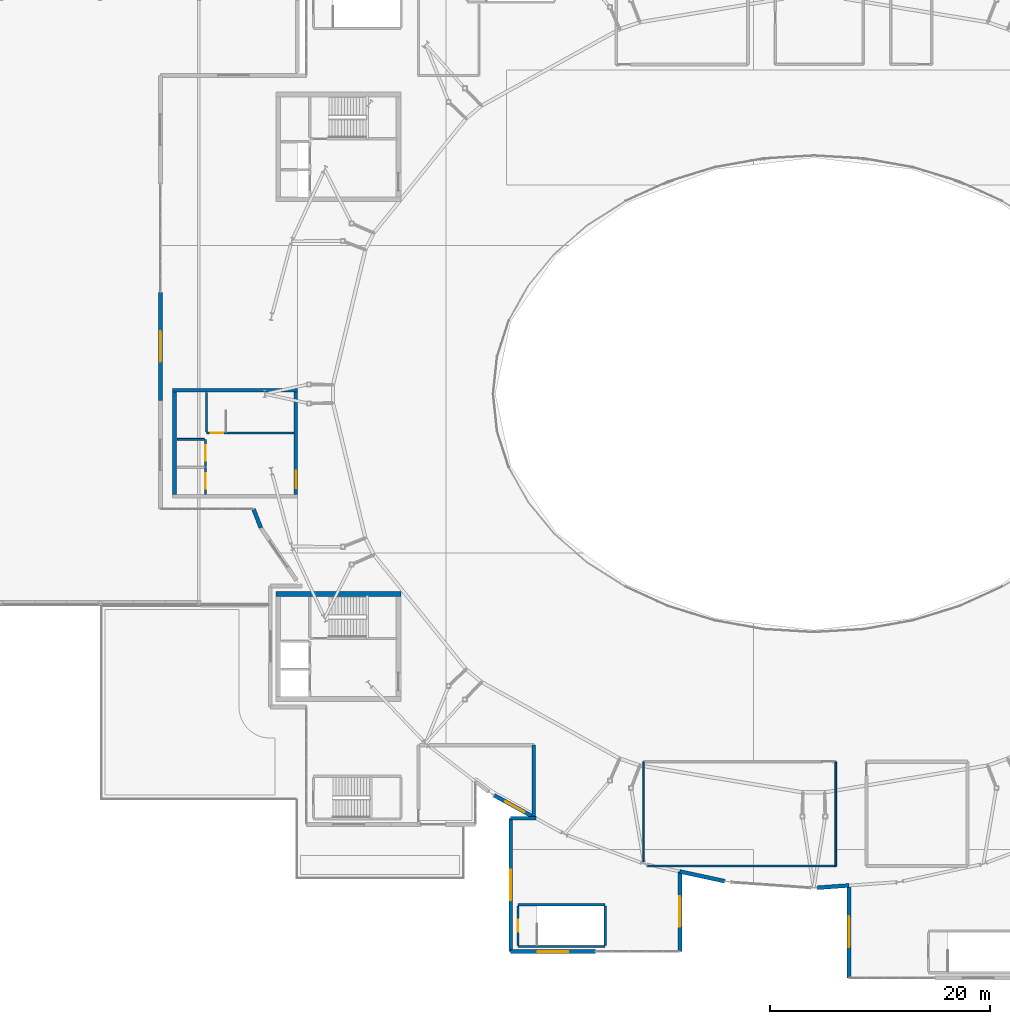
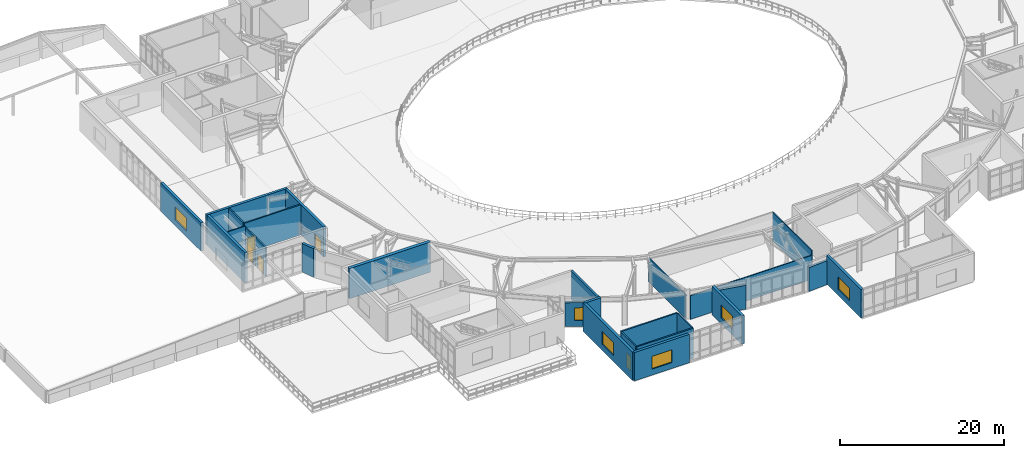
# One storey, part 37 of 48: 27 walls, 6 windows, 5 doors, 11 openings.
"""IFC4 building model written with IfcOpenShell, lengths in metres."""

from ifc_helpers import new_model, si_unit, direction, frame, frame_2d, origin, place, context, subcontext, project, spatial, rectangle, extrude, material, layer, layer_set, type_object, element, fill, save


model = new_model("IFC4")

# Units and contexts
model_context = context("Model", 3, precision=1e-05, world=origin(), true_north=direction((0.0, 1.0)))
body_context = subcontext(model_context, "Body", "Model", "MODEL_VIEW")
ifc_project = project(units=[si_unit("LENGTHUNIT", "METRE"), si_unit("AREAUNIT", "SQUARE_METRE"), si_unit("VOLUMEUNIT", "CUBIC_METRE"), si_unit("PLANEANGLEUNIT", "RADIAN"), si_unit("MASSUNIT", "GRAM", prefix="KILO")], contexts=[model_context])

# Site, building, storey
site_placement = place(None, origin())
site = spatial("IfcSite", under=ifc_project, at=site_placement, CompositionType="ELEMENT")
building_placement = place(site_placement, origin())
building = spatial("IfcBuilding", under=site, at=building_placement, Name="Glasvene Arena", CompositionType="ELEMENT")
storey_placement = place(building_placement, frame((0.0, 0.0, 19.5)))
storey = spatial("IfcBuildingStorey", under=building, at=storey_placement, Name="L04", CompositionType="ELEMENT", Elevation=19.5)

# Walls
ifc_material_1 = material(Name="Concrete C40/50", Category="concrete")
ifc_layer_1 = layer(ifc_material_1, 0.35009765625)
ifc_layer_set_1 = layer_set([ifc_layer_1], Name="Concrete C40/50")
wall_type_1 = type_object("IfcWallType", Name="WL-CORE-350", PredefinedType="SHEAR", material=ifc_layer_set_1)
wall_1_placement = place(storey_placement, frame((33.60009765625, 73.324951171875, 0.0), z_axis=(0.0, 0.0, 1.0), x_axis=(1.0, 0.0, 0.0)))
element("IfcWall", 1, at=wall_1_placement, inside=storey, type_object=wall_type_1, Name="Core C5 West Media shear wall N L04", PredefinedType="SHEAR", context=body_context, shape_type="SweptSolid", body=[
    extrude(rectangle(XDim=11.39990234375, YDim=0.35009765625, at=frame_2d((5.699951171875, 0.0))), origin(), (0.0, 0.0, 1.0), 4.5),
])
wall_2_placement = place(storey_placement, frame((33.77490234375, 63.85009765625, 0.0), z_axis=(0.0, 0.0, 1.0), x_axis=(0.0, 1.0, 0.0)))
element("IfcWall", 2, at=wall_2_placement, inside=storey, type_object=wall_type_1, Name="Core C5 West Media shear wall W L04", PredefinedType="SHEAR", context=body_context, shape_type="SweptSolid", body=[
    extrude(rectangle(XDim=9.2998046875, YDim=0.35009765625, at=frame_2d((4.64990234375, 0.0))), origin(), (0.0, 0.0, 1.0), 4.5),
])

# Wall, opening, door
wall_3_placement = place(storey_placement, frame((44.824951171875, 63.85009765625, 0.0), z_axis=(0.0, 0.0, 1.0), x_axis=(0.0, 1.0, 0.0)))
wall_3 = element("IfcWall", 3, at=wall_3_placement, inside=storey, type_object=wall_type_1, Name="Core C5 West Media shear wall E L04", PredefinedType="SHEAR", context=body_context, shape_type="SweptSolid", body=[
    extrude(rectangle(XDim=9.2998046875, YDim=0.35009765625, at=frame_2d((4.64990234375, 0.0))), origin(), (0.0, 0.0, 1.0), 4.5),
])
opening_1_placement = place(wall_3_placement, frame((0.550048828125, 0.0, 0.0)))
opening_1 = element("IfcOpeningElement", 4, at=opening_1_placement, cuts=wall_3, Name="Opening D-02", PredefinedType="OPENING", context=body_context, shape_type="SweptSolid", body=[
    extrude(rectangle(XDim=1.60009765625, YDim=2.199951171875, at=frame_2d((0.800048828125, 1.10009765625))), frame((0.0, 0.18505859375, 0.0), z_axis=(0.0, -1.0, 0.0), x_axis=(1.0, 0.0, 0.0)), (0.0, 0.0, 1.0), 0.3701171875),
])
ifc_material_2 = material(Name="Painted fire-resisting steel", Category="steel")
door_type_1 = type_object("IfcDoorType", Name="DR-FD60-1600", OperationType="DOUBLE_DOOR_SINGLE_SWING", PredefinedType="DOOR", material=ifc_material_2)
door_1_placement = place(opening_1_placement, frame((1.60009765625, 0.0, 0.0), z_axis=(0.0, 0.0, 1.0), x_axis=(-1.0, 0.0, 0.0)))
door_1 = element("IfcDoor", 5, at=door_1_placement, inside=storey, type_object=door_type_1, Name="Core firefighting lobby concourse door C5-L04", OperationType="DOUBLE_DOOR_SINGLE_SWING", OverallHeight=2.199951171875, OverallWidth=1.60009765625, PredefinedType="DOOR", context=body_context, shape_type="SweptSolid", body=[
    extrude(rectangle(XDim=1.60009765625, YDim=2.199951171875, at=frame_2d((0.800048828125, 1.10009765625))), frame((0.0, 0.02490234375, 0.0), z_axis=(0.0, -1.0, 0.0), x_axis=(1.0, 0.0, 0.0)), (0.0, 0.0, 1.0), 0.050048828125),
])
fill(opening_1, door_1)

# Walls
ifc_layer_2 = layer(ifc_material_1, 0.449951171875)
ifc_layer_set_2 = layer_set([ifc_layer_2], Name="Concrete C40/50")
wall_type_2 = type_object("IfcWallType", Name="WL-CORE-450", PredefinedType="SHEAR", material=ifc_layer_set_2)
wall_4_placement = place(storey_placement, frame((43.0, 54.77490234375, 0.0), z_axis=(0.0, 0.0, 1.0), x_axis=(1.0, 0.0, 0.0)))
element("IfcWall", 6, at=wall_4_placement, inside=storey, type_object=wall_type_2, Name="Core C3 South-West shear wall N L04", PredefinedType="SHEAR", context=body_context, shape_type="SweptSolid", body=[
    extrude(rectangle(XDim=11.39990234375, YDim=0.449951171875, at=frame_2d((5.699951171875, 0.0))), origin(), (0.0, 0.0, 1.0), 4.5),
])
ifc_material_3 = material(Name="Coursed pale Irish limestone", Category="masonry")
ifc_layer_3 = layer(ifc_material_3, 0.360107421875)
ifc_layer_set_3 = layer_set([ifc_layer_3], Name="Coursed pale Irish limestone")
wall_type_3 = type_object("IfcWallType", Name="WL-EXT-LIM-360", PredefinedType="STANDARD", material=ifc_layer_set_3)
wall_5_placement = place(storey_placement, frame((41.642822265625, 60.802490234375, 0.0), z_axis=(0.0, 0.0, 1.0), x_axis=(-0.365590245577, 0.930775898022, 0.0)))
element("IfcWall", 7, at=wall_5_placement, inside=storey, type_object=wall_type_3, Name="External facade wall EW-L04-0243", PredefinedType="STANDARD", context=body_context, shape_type="SweptSolid", body=[
    extrude(rectangle(XDim=1.82373046875, YDim=0.360107421875, at=frame_2d((0.911865234375, 0.0))), origin(), (0.0, 0.0, 1.0), 4.25),
])

# Wall, opening, window
wall_6_placement = place(storey_placement, frame((32.5, 72.375, 0.0), z_axis=(0.0, 0.0, 1.0), x_axis=(0.0, 1.0, 0.0)))
wall_6 = element("IfcWall", 8, at=wall_6_placement, inside=storey, type_object=wall_type_3, Name="External facade wall EW-L04-0245", PredefinedType="STANDARD", context=body_context, shape_type="SweptSolid", body=[
    extrude(rectangle(XDim=9.875, YDim=0.360107421875, at=frame_2d((4.9375, 0.0))), origin(), (0.0, 0.0, 1.0), 4.25),
])
opening_2_placement = place(wall_6_placement, frame((3.5380859375, 0.0, 0.89990234375)))
opening_2 = element("IfcOpeningElement", 9, at=opening_2_placement, cuts=wall_6, Name="Opening W-10", PredefinedType="OPENING", context=body_context, shape_type="SweptSolid", body=[
    extrude(rectangle(XDim=2.800048828125, YDim=1.89990234375, at=frame_2d((1.39990234375, 0.949951171875))), frame((0.0, 0.18994140625, 0.0), z_axis=(0.0, -1.0, 0.0), x_axis=(1.0, 0.0, 0.0)), (0.0, 0.0, 1.0), 0.380126953125),
])
ifc_material_4 = material(Name="Low-emissivity laminated double glazing", Category="glass")
window_type_1 = type_object("IfcWindowType", Name="WN-SKY-280x190", PartitioningType="DOUBLE_PANEL_VERTICAL", PredefinedType="WINDOW", material=ifc_material_4)
window_1_placement = place(opening_2_placement, origin())
window_1 = element("IfcWindow", 10, at=window_1_placement, inside=storey, type_object=window_type_1, Name="Facade window WN-SKY-280x190 L04-0156", OverallHeight=1.89990234375, OverallWidth=2.800048828125, PartitioningType="SINGLE_PANEL", PredefinedType="WINDOW", context=body_context, shape_type="SweptSolid", body=[
    extrude(rectangle(XDim=2.800048828125, YDim=1.89990234375, at=frame_2d((1.39990234375, 0.949951171875))), frame((0.0, 0.030029296875, 0.0), z_axis=(0.0, -1.0, 0.0), x_axis=(1.0, 0.0, 0.0)), (0.0, 0.0, 1.0), 0.06005859375),
])
fill(opening_2, window_1)

wall_7_placement = place(storey_placement, frame((95.199951171875, 19.800048828125, 0.0), z_axis=(0.0, 0.0, 1.0), x_axis=(0.0, 1.0, 0.0)))
wall_7 = element("IfcWall", 11, at=wall_7_placement, inside=storey, type_object=wall_type_3, Name="External facade wall EW-L04-0280", PredefinedType="STANDARD", context=body_context, shape_type="SweptSolid", body=[
    extrude(rectangle(XDim=8.4267578125, YDim=0.360107421875, at=frame_2d((4.21337890625, 0.0))), origin(), (0.0, 0.0, 1.0), 4.25),
])
opening_3_placement = place(wall_7_placement, frame((2.81298828125, 0.0, 0.89990234375)))
opening_3 = element("IfcOpeningElement", 12, at=opening_3_placement, cuts=wall_7, Name="Opening W-10", PredefinedType="OPENING", context=body_context, shape_type="SweptSolid", body=[
    extrude(rectangle(XDim=2.800048828125, YDim=1.89990234375, at=frame_2d((1.39990234375, 0.949951171875))), frame((0.0, 0.18994140625, 0.0), z_axis=(0.0, -1.0, 0.0), x_axis=(1.0, 0.0, 0.0)), (0.0, 0.0, 1.0), 0.380126953125),
])
window_2_placement = place(opening_3_placement, origin())
window_2 = element("IfcWindow", 13, at=window_2_placement, inside=storey, type_object=window_type_1, Name="Facade window WN-SKY-280x190 L04-0180", OverallHeight=1.89990234375, OverallWidth=2.800048828125, PartitioningType="SINGLE_PANEL", PredefinedType="WINDOW", context=body_context, shape_type="SweptSolid", body=[
    extrude(rectangle(XDim=2.800048828125, YDim=1.89990234375, at=frame_2d((1.39990234375, 0.949951171875))), frame((0.0, 0.030029296875, 0.0), z_axis=(0.0, -1.0, 0.0), x_axis=(1.0, 0.0, 0.0)), (0.0, 0.0, 1.0), 0.06005859375),
])
fill(opening_3, window_2)

# Walls
wall_8_placement = place(storey_placement, frame((95.199951171875, 28.226806640625, 0.0), z_axis=(0.0, 0.0, 1.0), x_axis=(-0.997498130911, -0.070692848503, 0.0)))
element("IfcWall", 14, at=wall_8_placement, inside=storey, type_object=wall_type_3, Name="External facade wall EW-L04-0281", PredefinedType="STANDARD", context=body_context, shape_type="SweptSolid", body=[
    extrude(rectangle(XDim=2.88037109375, YDim=0.360107421875, at=frame_2d((1.440185546875, 0.0))), origin(), (0.0, 0.0, 1.0), 3.5615234375),
])
wall_9_placement = place(storey_placement, frame((83.8583984375, 28.623046875, 0.0), z_axis=(0.0, 0.0, 1.0), x_axis=(-0.9774404191, 0.211211332816, 0.0)))
element("IfcWall", 15, at=wall_9_placement, inside=storey, type_object=wall_type_3, Name="External facade wall EW-L04-0282", PredefinedType="STANDARD", context=body_context, shape_type="SweptSolid", body=[
    extrude(rectangle(XDim=4.152099609375, YDim=0.360107421875, at=frame_2d((2.076171875, 0.0))), origin(), (0.0, 0.0, 1.0), 3.5615234375),
])

# Wall, opening, window
wall_10_placement = place(storey_placement, frame((79.800048828125, 29.5, 0.0), z_axis=(0.0, 0.0, 1.0), x_axis=(0.0, -1.0, 0.0)))
wall_10 = element("IfcWall", 16, at=wall_10_placement, inside=storey, type_object=wall_type_3, Name="External facade wall EW-L04-0283", PredefinedType="STANDARD", context=body_context, shape_type="SweptSolid", body=[
    extrude(rectangle(XDim=7.300048828125, YDim=0.360107421875, at=frame_2d((3.64990234375, 0.0))), origin(), (0.0, 0.0, 1.0), 4.25),
])
opening_4_placement = place(wall_10_placement, frame((2.25, 0.0, 0.89990234375)))
opening_4 = element("IfcOpeningElement", 17, at=opening_4_placement, cuts=wall_10, Name="Opening W-10", PredefinedType="OPENING", context=body_context, shape_type="SweptSolid", body=[
    extrude(rectangle(XDim=2.800048828125, YDim=1.89990234375, at=frame_2d((1.39990234375, 0.949951171875))), frame((0.0, 0.18994140625, 0.0), z_axis=(0.0, -1.0, 0.0), x_axis=(1.0, 0.0, 0.0)), (0.0, 0.0, 1.0), 0.380126953125),
])
window_3_placement = place(opening_4_placement, origin())
window_3 = element("IfcWindow", 18, at=window_3_placement, inside=storey, type_object=window_type_1, Name="Facade window WN-SKY-280x190 L04-0181", OverallHeight=1.89990234375, OverallWidth=2.800048828125, PartitioningType="SINGLE_PANEL", PredefinedType="WINDOW", context=body_context, shape_type="SweptSolid", body=[
    extrude(rectangle(XDim=2.800048828125, YDim=1.89990234375, at=frame_2d((1.39990234375, 0.949951171875))), frame((0.0, 0.030029296875, 0.0), z_axis=(0.0, -1.0, 0.0), x_axis=(1.0, 0.0, 0.0)), (0.0, 0.0, 1.0), 0.06005859375),
])
fill(opening_4, window_3)

wall_11_placement = place(storey_placement, frame((72.10009765625, 22.199951171875, 0.0), z_axis=(0.0, 0.0, 1.0), x_axis=(-1.0, 0.0, 0.0)))
wall_11 = element("IfcWall", 19, at=wall_11_placement, inside=storey, type_object=wall_type_3, Name="External facade wall EW-L04-0284", PredefinedType="STANDARD", context=body_context, shape_type="SweptSolid", body=[
    extrude(rectangle(XDim=7.7001953125, YDim=0.360107421875, at=frame_2d((3.85009765625, 0.0))), origin(), (0.0, 0.0, 1.0), 4.25),
])
opening_5_placement = place(wall_11_placement, frame((2.449951171875, 0.0, 0.89990234375)))
opening_5 = element("IfcOpeningElement", 20, at=opening_5_placement, cuts=wall_11, Name="Opening W-10", PredefinedType="OPENING", context=body_context, shape_type="SweptSolid", body=[
    extrude(rectangle(XDim=2.800048828125, YDim=1.89990234375, at=frame_2d((1.39990234375, 0.949951171875))), frame((0.0, 0.18994140625, 0.0), z_axis=(0.0, -1.0, 0.0), x_axis=(1.0, 0.0, 0.0)), (0.0, 0.0, 1.0), 0.380126953125),
])
window_4_placement = place(opening_5_placement, origin())
window_4 = element("IfcWindow", 21, at=window_4_placement, inside=storey, type_object=window_type_1, Name="Facade window WN-SKY-280x190 L04-0182", OverallHeight=1.89990234375, OverallWidth=2.800048828125, PartitioningType="SINGLE_PANEL", PredefinedType="WINDOW", context=body_context, shape_type="SweptSolid", body=[
    extrude(rectangle(XDim=2.800048828125, YDim=1.89990234375, at=frame_2d((1.39990234375, 0.949951171875))), frame((0.0, 0.030029296875, 0.0), z_axis=(0.0, -1.0, 0.0), x_axis=(1.0, 0.0, 0.0)), (0.0, 0.0, 1.0), 0.06005859375),
])
fill(opening_5, window_4)

wall_12_placement = place(storey_placement, frame((64.39990234375, 22.199951171875, 0.0), z_axis=(0.0, 0.0, 1.0), x_axis=(0.0, 1.0, 0.0)))
wall_12 = element("IfcWall", 22, at=wall_12_placement, inside=storey, type_object=wall_type_3, Name="External facade wall EW-L04-0285", PredefinedType="STANDARD", context=body_context, shape_type="SweptSolid", body=[
    extrude(rectangle(XDim=12.150146484375, YDim=0.360107421875, at=frame_2d((6.0751953125, 0.0))), origin(), (0.0, 0.0, 1.0), 4.25),
])
opening_6_placement = place(wall_12_placement, frame((4.675048828125, 0.0, 0.89990234375)))
opening_6 = element("IfcOpeningElement", 23, at=opening_6_placement, cuts=wall_12, Name="Opening W-10", PredefinedType="OPENING", context=body_context, shape_type="SweptSolid", body=[
    extrude(rectangle(XDim=2.800048828125, YDim=1.89990234375, at=frame_2d((1.39990234375, 0.949951171875))), frame((0.0, 0.18994140625, 0.0), z_axis=(0.0, -1.0, 0.0), x_axis=(1.0, 0.0, 0.0)), (0.0, 0.0, 1.0), 0.380126953125),
])
window_5_placement = place(opening_6_placement, origin())
window_5 = element("IfcWindow", 24, at=window_5_placement, inside=storey, type_object=window_type_1, Name="Facade window WN-SKY-280x190 L04-0183", OverallHeight=1.89990234375, OverallWidth=2.800048828125, PartitioningType="SINGLE_PANEL", PredefinedType="WINDOW", context=body_context, shape_type="SweptSolid", body=[
    extrude(rectangle(XDim=2.800048828125, YDim=1.89990234375, at=frame_2d((1.39990234375, 0.949951171875))), frame((0.0, 0.030029296875, 0.0), z_axis=(0.0, -1.0, 0.0), x_axis=(1.0, 0.0, 0.0)), (0.0, 0.0, 1.0), 0.06005859375),
])
fill(opening_6, window_5)

# Wall
wall_13_placement = place(storey_placement, frame((64.39990234375, 34.35009765625, 0.0), z_axis=(0.0, 0.0, 1.0), x_axis=(1.0, 0.0, 0.0)))
element("IfcWall", 25, at=wall_13_placement, inside=storey, type_object=wall_type_3, Name="External facade wall EW-L04-0286", PredefinedType="STANDARD", context=body_context, shape_type="SweptSolid", body=[
    extrude(rectangle(XDim=2.280029296875, YDim=0.360107421875, at=frame_2d((1.14013671875, 0.0))), origin(), (0.0, 0.0, 1.0), 4.25),
])

# Wall, opening, window
wall_14_placement = place(storey_placement, frame((66.679931640625, 34.35009765625, 0.0), z_axis=(0.0, 0.0, 1.0), x_axis=(-0.875661022226, 0.482926261611, 0.0)))
wall_14 = element("IfcWall", 26, at=wall_14_placement, inside=storey, type_object=wall_type_3, Name="External facade wall EW-L04-0287", PredefinedType="STANDARD", context=body_context, shape_type="SweptSolid", body=[
    extrude(rectangle(XDim=4.31494140625, YDim=0.360107421875, at=frame_2d((2.157470703125, 0.0))), origin(), (0.0, 0.0, 1.0), 3.5615234375),
])
opening_7_placement = place(wall_14_placement, frame((1.156982421875, 0.0, 0.89990234375)))
opening_7 = element("IfcOpeningElement", 27, at=opening_7_placement, cuts=wall_14, Name="Opening W-11", PredefinedType="OPENING", context=body_context, shape_type="SweptSolid", body=[
    extrude(rectangle(XDim=2.0, YDim=1.89990234375, at=frame_2d((1.0, 0.949951171875))), frame((0.0, 0.18994140625, 0.0), z_axis=(0.0, -1.0, 0.0), x_axis=(1.0, 0.0, 0.0)), (0.0, 0.0, 1.0), 0.380126953125),
])
window_type_2 = type_object("IfcWindowType", Name="WN-SKY-200x190", PartitioningType="DOUBLE_PANEL_VERTICAL", PredefinedType="WINDOW", material=ifc_material_4)
window_6_placement = place(opening_7_placement, origin())
window_6 = element("IfcWindow", 28, at=window_6_placement, inside=storey, type_object=window_type_2, Name="Facade window WN-SKY-200x190 L04-0184", OverallHeight=1.89990234375, OverallWidth=2.0, PartitioningType="SINGLE_PANEL", PredefinedType="WINDOW", context=body_context, shape_type="SweptSolid", body=[
    extrude(rectangle(XDim=2.0, YDim=1.89990234375, at=frame_2d((1.0, 0.949951171875))), frame((0.0, 0.030029296875, 0.0), z_axis=(0.0, -1.0, 0.0), x_axis=(1.0, 0.0, 0.0)), (0.0, 0.0, 1.0), 0.06005859375),
])
fill(opening_7, window_6)

# Walls
ifc_material_5 = material(Name="Insulated acoustic metal-stud partition")
ifc_layer_4 = layer(ifc_material_5, 0.14990234375)
ifc_layer_set_4 = layer_set([ifc_layer_4], Name="Insulated acoustic metal-stud partition")
wall_type_4 = type_object("IfcWallType", Name="WL-PART-150", PredefinedType="PARTITIONING", material=ifc_layer_set_4)
wall_15_placement = place(storey_placement, frame((94.0, 39.5, 0.0), z_axis=(0.0, 0.0, 1.0), x_axis=(0.0, -1.0, 0.0)))
element("IfcWall", 29, at=wall_15_placement, inside=storey, type_object=wall_type_4, Name="Interior partition wall IW-L04-0301 (Sky Terrace Lounge South)", PredefinedType="PARTITIONING", context=body_context, shape_type="SweptSolid", body=[
    extrude(rectangle(XDim=9.5, YDim=0.14990234375, at=frame_2d((4.75, 0.0))), origin(), (0.0, 0.0, 1.0), 4.25),
])
wall_16_placement = place(storey_placement, frame((94.0, 30.0, 0.0), z_axis=(0.0, 0.0, 1.0), x_axis=(-1.0, 0.0, 0.0)))
element("IfcWall", 30, at=wall_16_placement, inside=storey, type_object=wall_type_4, Name="Interior partition wall IW-L04-0302 (Sky Terrace Lounge South)", PredefinedType="PARTITIONING", context=body_context, shape_type="SweptSolid", body=[
    extrude(rectangle(XDim=17.174072265625, YDim=0.14990234375, at=frame_2d((8.5869140625, 0.0))), origin(), (0.0, 0.0, 1.0), 3.5615234375),
])
wall_17_placement = place(storey_placement, frame((76.5, 30.384033203125, 0.0), z_axis=(0.0, 0.0, 1.0), x_axis=(0.0, 1.0, 0.0)))
element("IfcWall", 31, at=wall_17_placement, inside=storey, type_object=wall_type_4, Name="Interior partition wall IW-L04-0303 (Sky Terrace Lounge South)", PredefinedType="PARTITIONING", context=body_context, shape_type="SweptSolid", body=[
    extrude(rectangle(XDim=9.115966796875, YDim=0.14990234375, at=frame_2d((4.55810546875, 0.0))), origin(), (0.0, 0.0, 1.0), 3.5615234375),
])

# Wall, opening, door
ifc_layer_5 = layer(ifc_material_1, 0.199951171875)
ifc_layer_set_5 = layer_set([ifc_layer_5], Name="Concrete C40/50")
wall_type_5 = type_object("IfcWallType", Name="WL-SHAFT-200", PredefinedType="SHEAR", material=ifc_layer_set_5)
wall_18_placement = place(storey_placement, frame((36.60009765625, 63.85009765625, 0.0), z_axis=(0.0, 0.0, 1.0), x_axis=(0.0, 1.0, 0.0)))
wall_18 = element("IfcWall", 32, at=wall_18_placement, inside=storey, type_object=wall_type_5, Name="Lift shaft front wall PL-05 L04", PredefinedType="SHEAR", context=body_context, shape_type="SweptSolid", body=[
    extrude(rectangle(XDim=2.449951171875, YDim=0.199951171875, at=frame_2d((1.22509765625, 0.0))), origin(), (0.0, 0.0, 1.0), 4.25),
])
opening_8_placement = place(wall_18_placement, frame((0.52490234375, 0.0, 0.0)))
opening_8 = element("IfcOpeningElement", 33, at=opening_8_placement, cuts=wall_18, Name="Opening LD-PL", PredefinedType="OPENING", context=body_context, shape_type="SweptSolid", body=[
    extrude(rectangle(XDim=1.39990234375, YDim=2.199951171875, at=frame_2d((0.699951171875, 1.10009765625))), frame((0.0, 0.10986328125, 0.0), z_axis=(0.0, -1.0, 0.0), x_axis=(1.0, 0.0, 0.0)), (0.0, 0.0, 1.0), 0.219970703125),
])
ifc_material_6 = material(Name="Brushed stainless steel", Category="steel")
door_type_2 = type_object("IfcDoorType", Name="LD-PL-1400", OperationType="DOUBLE_DOOR_SLIDING", PredefinedType="DOOR", material=ifc_material_6)
door_2_placement = place(opening_8_placement, origin())
door_2 = element("IfcDoor", 34, at=door_2_placement, inside=storey, type_object=door_type_2, Name="Lift sliding landing door LD-PL-05-L04", OperationType="DOUBLE_DOOR_SLIDING", OverallHeight=2.199951171875, OverallWidth=1.39990234375, PredefinedType="DOOR", context=body_context, shape_type="SweptSolid", body=[
    extrude(rectangle(XDim=1.39990234375, YDim=2.199951171875, at=frame_2d((0.699951171875, 1.10009765625))), frame((0.0, 0.02490234375, 0.0), z_axis=(0.0, -1.0, 0.0), x_axis=(1.0, 0.0, 0.0)), (0.0, 0.0, 1.0), 0.050048828125),
])
fill(opening_8, door_2)

wall_19_placement = place(storey_placement, frame((36.60009765625, 66.39990234375, 0.0), z_axis=(0.0, 0.0, 1.0), x_axis=(0.0, 1.0, 0.0)))
wall_19 = element("IfcWall", 35, at=wall_19_placement, inside=storey, type_object=wall_type_5, Name="Lift shaft front wall PL-06 L04", PredefinedType="SHEAR", context=body_context, shape_type="SweptSolid", body=[
    extrude(rectangle(XDim=2.4501953125, YDim=0.199951171875, at=frame_2d((1.22509765625, 0.0))), origin(), (0.0, 0.0, 1.0), 4.25),
])
opening_9_placement = place(wall_19_placement, frame((0.52490234375, 0.0, 0.0)))
opening_9 = element("IfcOpeningElement", 36, at=opening_9_placement, cuts=wall_19, Name="Opening LD-PL", PredefinedType="OPENING", context=body_context, shape_type="SweptSolid", body=[
    extrude(rectangle(XDim=1.39990234375, YDim=2.199951171875, at=frame_2d((0.699951171875, 1.10009765625))), frame((0.0, 0.10986328125, 0.0), z_axis=(0.0, -1.0, 0.0), x_axis=(1.0, 0.0, 0.0)), (0.0, 0.0, 1.0), 0.219970703125),
])
door_3_placement = place(opening_9_placement, origin())
door_3 = element("IfcDoor", 37, at=door_3_placement, inside=storey, type_object=door_type_2, Name="Lift sliding landing door LD-PL-06-L04", OperationType="DOUBLE_DOOR_SLIDING", OverallHeight=2.199951171875, OverallWidth=1.39990234375, PredefinedType="DOOR", context=body_context, shape_type="SweptSolid", body=[
    extrude(rectangle(XDim=1.39990234375, YDim=2.199951171875, at=frame_2d((0.699951171875, 1.10009765625))), frame((0.0, 0.02490234375, 0.0), z_axis=(0.0, -1.0, 0.0), x_axis=(1.0, 0.0, 0.0)), (0.0, 0.0, 1.0), 0.050048828125),
])
fill(opening_9, door_3)

wall_20_placement = place(storey_placement, frame((36.699951171875, 69.429931640625, 0.0), z_axis=(0.0, 0.0, 1.0), x_axis=(1.0, 0.0, 0.0)))
wall_20 = element("IfcWall", 38, at=wall_20_placement, inside=storey, type_object=wall_type_5, Name="Escape stair shaft wall ST-07 L04 S", PredefinedType="SHEAR", context=body_context, shape_type="SweptSolid", body=[
    extrude(rectangle(XDim=7.949951171875, YDim=0.199951171875, at=frame_2d((3.97509765625, 0.0))), origin(), (0.0, 0.0, 1.0), 4.5),
])
opening_10_placement = place(wall_20_placement, frame((0.39990234375, 0.0, 0.0)))
opening_10 = element("IfcOpeningElement", 39, at=opening_10_placement, cuts=wall_20, Name="Opening D-04", PredefinedType="OPENING", context=body_context, shape_type="SweptSolid", body=[
    extrude(rectangle(XDim=1.10009765625, YDim=2.14990234375, at=frame_2d((0.550048828125, 1.074951171875))), frame((0.0, 0.10986328125, 0.0), z_axis=(0.0, -1.0, 0.0), x_axis=(1.0, 0.0, 0.0)), (0.0, 0.0, 1.0), 0.219970703125),
])
door_type_3 = type_object("IfcDoorType", Name="DR-FD60-1100", OperationType="NOTDEFINED", PredefinedType="DOOR", material=ifc_material_2)
door_4_placement = place(opening_10_placement, frame((1.10009765625, 0.0, 0.0), z_axis=(0.0, 0.0, 1.0), x_axis=(-1.0, 0.0, 0.0)))
door_4 = element("IfcDoor", 40, at=door_4_placement, inside=storey, type_object=door_type_3, Name="Protected escape stair door ST-07 L04", OperationType="SINGLE_SWING_LEFT", OverallHeight=2.14990234375, OverallWidth=1.10009765625, PredefinedType="DOOR", context=body_context, shape_type="SweptSolid", body=[
    extrude(rectangle(XDim=1.10009765625, YDim=2.14990234375, at=frame_2d((0.550048828125, 1.074951171875))), frame((0.0, 0.02490234375, 0.0), z_axis=(0.0, -1.0, 0.0), x_axis=(1.0, 0.0, 0.0)), (0.0, 0.0, 1.0), 0.050048828125),
])
fill(opening_10, door_4)

# Walls
wall_21_placement = place(storey_placement, frame((36.699951171875, 69.531982421875, 0.0), z_axis=(0.0, 0.0, 1.0), x_axis=(0.0, 1.0, 0.0)))
element("IfcWall", 41, at=wall_21_placement, inside=storey, type_object=wall_type_5, Name="Escape stair shaft wall ST-07 L04 W", PredefinedType="SHEAR", context=body_context, shape_type="SweptSolid", body=[
    extrude(rectangle(XDim=3.5859375, YDim=0.199951171875, at=frame_2d((1.79296875, 0.0))), origin(), (0.0, 0.0, 1.0), 4.5),
])
wall_22_placement = place(storey_placement, frame((65.050048828125, 22.679931640625, 0.0), z_axis=(0.0, 0.0, 1.0), x_axis=(1.0, 0.0, 0.0)))
element("IfcWall", 42, at=wall_22_placement, inside=storey, type_object=wall_type_5, Name="Escape stair shaft wall ST-08 L04 S", PredefinedType="SHEAR", context=body_context, shape_type="SweptSolid", body=[
    extrude(rectangle(XDim=7.949951171875, YDim=0.199951171875, at=frame_2d((3.97509765625, 0.0))), origin(), (0.0, 0.0, 1.0), 4.5),
])

# Wall, opening, door
wall_23_placement = place(storey_placement, frame((65.050048828125, 22.781982421875, 0.0), z_axis=(0.0, 0.0, 1.0), x_axis=(0.0, 1.0, 0.0)))
wall_23 = element("IfcWall", 43, at=wall_23_placement, inside=storey, type_object=wall_type_5, Name="Escape stair shaft wall ST-08 L04 W", PredefinedType="SHEAR", context=body_context, shape_type="SweptSolid", body=[
    extrude(rectangle(XDim=3.5859375, YDim=0.199951171875, at=frame_2d((1.79296875, 0.0))), origin(), (0.0, 0.0, 1.0), 4.5),
])
opening_11_placement = place(wall_23_placement, frame((1.242919921875, 0.0, 0.0)))
opening_11 = element("IfcOpeningElement", 44, at=opening_11_placement, cuts=wall_23, Name="Opening D-04", PredefinedType="OPENING", context=body_context, shape_type="SweptSolid", body=[
    extrude(rectangle(XDim=1.10009765625, YDim=2.14990234375, at=frame_2d((0.550048828125, 1.074951171875))), frame((0.0, 0.10986328125, 0.0), z_axis=(0.0, -1.0, 0.0), x_axis=(1.0, 0.0, 0.0)), (0.0, 0.0, 1.0), 0.219970703125),
])
door_5_placement = place(opening_11_placement, frame((1.10009765625, 0.0, 0.0), z_axis=(0.0, 0.0, 1.0), x_axis=(-1.0, 0.0, 0.0)))
door_5 = element("IfcDoor", 45, at=door_5_placement, inside=storey, type_object=door_type_3, Name="Protected escape stair door ST-08 L04", OperationType="SINGLE_SWING_LEFT", OverallHeight=2.14990234375, OverallWidth=1.10009765625, PredefinedType="DOOR", context=body_context, shape_type="SweptSolid", body=[
    extrude(rectangle(XDim=1.10009765625, YDim=2.14990234375, at=frame_2d((0.550048828125, 1.074951171875))), frame((0.0, 0.02490234375, 0.0), z_axis=(0.0, -1.0, 0.0), x_axis=(1.0, 0.0, 0.0)), (0.0, 0.0, 1.0), 0.050048828125),
])
fill(opening_11, door_5)

# Walls
wall_24_placement = place(storey_placement, frame((73.0, 22.781982421875, 0.0), z_axis=(0.0, 0.0, 1.0), x_axis=(0.0, 1.0, 0.0)))
element("IfcWall", 46, at=wall_24_placement, inside=storey, type_object=wall_type_5, Name="Escape stair shaft wall ST-08 L04 E", PredefinedType="SHEAR", context=body_context, shape_type="SweptSolid", body=[
    extrude(rectangle(XDim=3.5859375, YDim=0.199951171875, at=frame_2d((1.79296875, 0.0))), origin(), (0.0, 0.0, 1.0), 4.5),
])
wall_25_placement = place(storey_placement, frame((65.050048828125, 26.469970703125, 0.0), z_axis=(0.0, 0.0, 1.0), x_axis=(1.0, 0.0, 0.0)))
element("IfcWall", 47, at=wall_25_placement, inside=storey, type_object=wall_type_5, Name="Escape stair shaft wall ST-08 L04 N", PredefinedType="SHEAR", context=body_context, shape_type="SweptSolid", body=[
    extrude(rectangle(XDim=7.949951171875, YDim=0.199951171875, at=frame_2d((3.97509765625, 0.0))), origin(), (0.0, 0.0, 1.0), 4.5),
])
ifc_material_7 = material(Name="Twin-frame acoustic gypsum partition")
ifc_layer_6 = layer(ifc_material_7, 0.280029296875)
ifc_layer_set_6 = layer_set([ifc_layer_6], Name="Twin-frame acoustic gypsum partition")
wall_type_6 = type_object("IfcWallType", Name="WL-STUDIO-280", PredefinedType="PARTITIONING", material=ifc_layer_set_6)
wall_26_placement = place(storey_placement, frame((66.5, 41.0, 0.0), z_axis=(0.0, 0.0, 1.0), x_axis=(0.0, -1.0, 0.0)))
element("IfcWall", 48, at=wall_26_placement, inside=storey, type_object=wall_type_6, Name="Interior partition wall IW-L04-0307 (Television Broadcast Studio 1)", PredefinedType="PARTITIONING", context=body_context, shape_type="SweptSolid", body=[
    extrude(rectangle(XDim=6.5107421875, YDim=0.280029296875, at=frame_2d((3.25537109375, 0.0))), origin(), (0.0, 0.0, 1.0), 4.25),
])
ifc_material_8 = material(Name="Moisture-resistant masonry blockwork", Category="masonry")
ifc_layer_7 = layer(ifc_material_8, 0.179931640625)
ifc_layer_set_7 = layer_set([ifc_layer_7], Name="Moisture-resistant masonry blockwork")
wall_type_7 = type_object("IfcWallType", Name="WL-WET-180", PredefinedType="PARTITIONING", material=ifc_layer_set_7)
wall_27_placement = place(storey_placement, frame((34.050048828125, 68.85009765625, 0.0), z_axis=(0.0, 0.0, 1.0), x_axis=(1.0, 0.0, 0.0)))
element("IfcWall", 49, at=wall_27_placement, inside=storey, type_object=wall_type_7, Name="Lift shaft north enclosure wall C5 L04", PredefinedType="PARTITIONING", context=body_context, shape_type="SweptSolid", body=[
    extrude(rectangle(XDim=2.449951171875, YDim=0.179931640625, at=frame_2d((1.22509765625, 0.0))), origin(), (0.0, 0.0, 1.0), 4.5),
])

save(model, "model.ifc")
